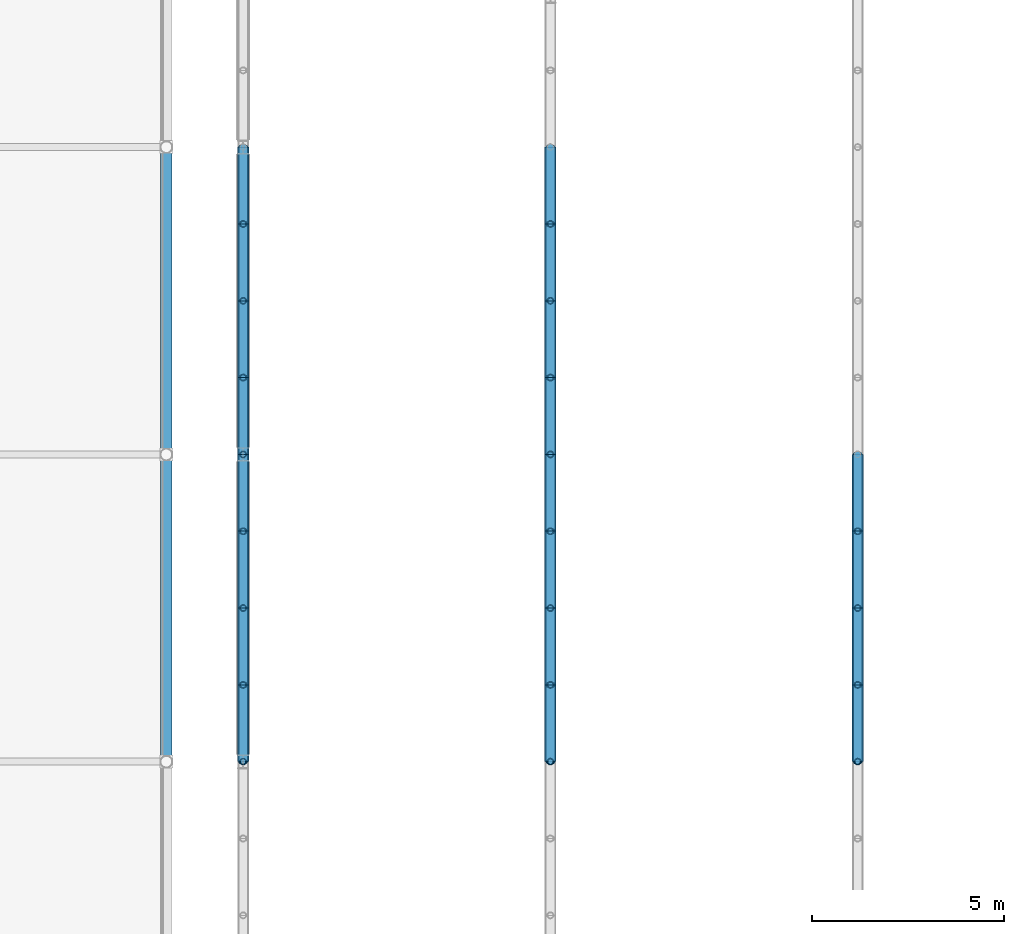
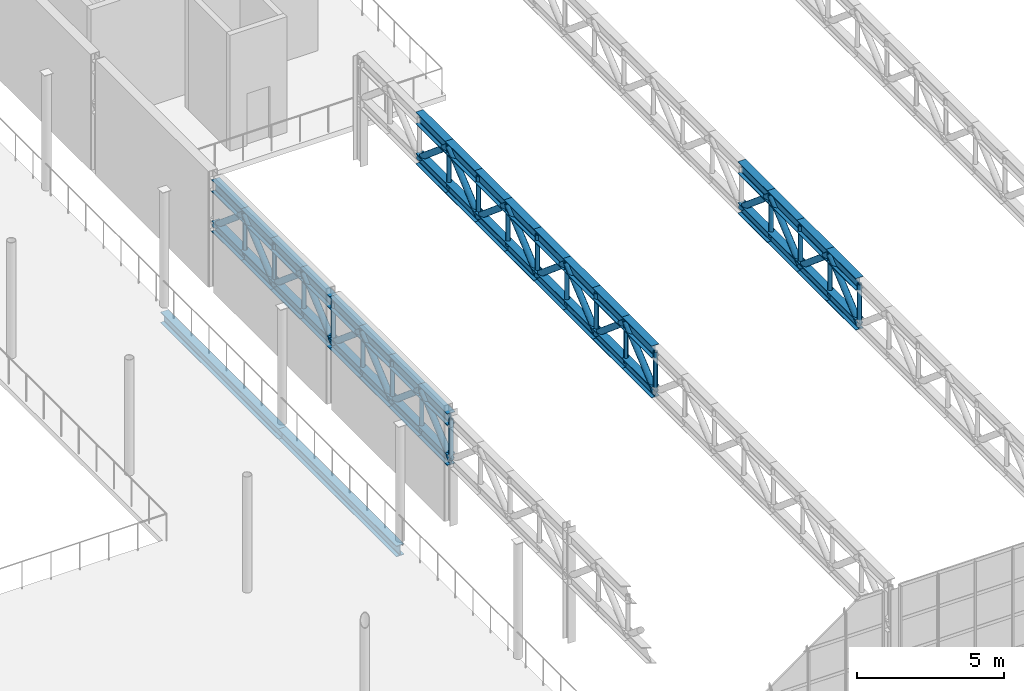
# One storey, part 43 of 143: 80 members, 2 beams.
"""IFC4 building model written with IfcOpenShell, lengths in metres."""

from ifc_helpers import new_model, si_unit, derived_unit, direction, frame, origin, origin_2d, place, context, subcontext, project, spatial, hollow_circle, i_section, extrude, material, material_profile, profile_set, type_object, element, save


model = new_model("IFC4")

# Units and contexts
model_context = context("Model", 3, precision=1e-05, world=origin(), true_north=direction((0.0, 1.0)))
body_context = subcontext(model_context, "Body", "Model", "MODEL_VIEW")
ifc_project = project(units=[si_unit("LENGTHUNIT", "METRE"), si_unit("AREAUNIT", "SQUARE_METRE"), si_unit("VOLUMEUNIT", "CUBIC_METRE"), si_unit("PLANEANGLEUNIT", "RADIAN"), si_unit("MASSUNIT", "GRAM", prefix="KILO"), derived_unit("THERMALTRANSMITTANCEUNIT", [(si_unit("POWERUNIT", "WATT"), 1), (si_unit("LENGTHUNIT", "METRE"), -2), (si_unit("THERMODYNAMICTEMPERATUREUNIT", "KELVIN"), -1)])], contexts=[model_context])

# Site, building, storey
site_placement = place(None, origin())
site = spatial("IfcSite", under=ifc_project, at=site_placement, CompositionType="ELEMENT")
building_placement = place(site_placement, origin())
building = spatial("IfcBuilding", under=site, at=building_placement, Name="Keldorne Ridge Multi-Sports Centre", CompositionType="ELEMENT")
storey_placement = place(building_placement, frame((0.0, 0.0, 4.800048828125)))
storey = spatial("IfcBuildingStorey", under=building, at=storey_placement, Name="L01", CompositionType="ELEMENT", Elevation=4.800048828125)

# Beams
ifc_material = material(Name="Steel S355", Category="steel")
ifc_material_profile_1 = material_profile(ifc_material, i_section(OverallWidth=0.300048828125, OverallDepth=0.449951171875, WebThickness=0.013916015625, FlangeThickness=0.02587890625, FilletRadius=0.027099609375, at=origin_2d()), Name="HEB 450")
ifc_profile_set_1 = profile_set([ifc_material_profile_1], Name="Steel S355")
beam_type = type_object("IfcBeamType", Name="BM-B-11", PredefinedType="BEAM", material=ifc_profile_set_1)
for number, where, z_axis, x_axis, name in (
    (1, (102.0, 22.0, -0.445068359375), (0.0, 1.0, 0.0), (-1.0, 0.0, 0.0), "L01 passage girder G15.3"),
    (2, (102.0, 30.0, -0.445068359375), (0.0, 1.0, 0.0), (-1.0, 0.0, 0.0), "L01 passage girder G15.4"),
):
    element("IfcBeam", number, at=place(storey_placement, frame(where, z_axis=z_axis, x_axis=x_axis)), inside=storey, type_object=beam_type, Name=name, PredefinedType="BEAM", context=body_context, shape_type="SweptSolid", body=[
        extrude(i_section(OverallWidth=0.300048828125, OverallDepth=0.449951171875, WebThickness=0.013916015625, FlangeThickness=0.02587890625, FilletRadius=0.027099609375, at=origin_2d()), origin(), (0.0, 0.0, 1.0), 8.0),
    ])

# Members
ifc_material_profile_2 = material_profile(ifc_material, i_section(OverallWidth=0.300048828125, OverallDepth=0.5, WebThickness=0.014404296875, FlangeThickness=0.028076171875, FilletRadius=0.027099609375, at=origin_2d()), Name="HEB 500")
ifc_profile_set_2 = profile_set([ifc_material_profile_2], Name="Steel S355")
member_type_1 = type_object("IfcMemberType", Name="MEM-TC-03", PredefinedType="CHORD", material=ifc_profile_set_2)
for number, where, z_axis, x_axis, name in (
    (3, (104.0, 22.0, 4.31005859375), (0.0, 1.0, 0.0), (-1.0, 0.0, 0.0), "Stacked Courts Warren TRUSS WT-L02-01 top chord 9"),
    (4, (104.0, 24.0, 4.31005859375), (0.0, 1.0, 0.0), (-1.0, 0.0, 0.0), "Stacked Courts Warren TRUSS WT-L02-01 top chord 10"),
    (5, (104.0, 26.0, 4.31005859375), (0.0, 1.0, 0.0), (-1.0, 0.0, 0.0), "Stacked Courts Warren TRUSS WT-L02-01 top chord 11"),
    (6, (104.0, 28.0, 4.31005859375), (0.0, 1.0, 0.0), (-1.0, 0.0, 0.0), "Stacked Courts Warren TRUSS WT-L02-01 top chord 12"),
    (7, (104.0, 30.0, 4.31005859375), (0.0, 1.0, 0.0), (-1.0, 0.0, 0.0), "Stacked Courts Warren TRUSS WT-L02-01 top chord 13"),
    (8, (104.0, 32.0, 4.31005859375), (0.0, 1.0, 0.0), (-1.0, 0.0, 0.0), "Stacked Courts Warren TRUSS WT-L02-01 top chord 14"),
    (9, (104.0, 34.0, 4.31005859375), (0.0, 1.0, 0.0), (-1.0, 0.0, 0.0), "Stacked Courts Warren TRUSS WT-L02-01 top chord 15"),
    (10, (104.0, 36.0, 4.31005859375), (0.0, 1.0, 0.0), (-1.0, 0.0, 0.0), "Stacked Courts Warren TRUSS WT-L02-01 top chord 16"),
    (11, (112.0, 22.0, 4.31005859375), (0.0, 1.0, 0.0), (-1.0, 0.0, 0.0), "Stacked Courts Warren TRUSS WT-L02-02 top chord 9"),
    (12, (112.0, 24.0, 4.31005859375), (0.0, 1.0, 0.0), (-1.0, 0.0, 0.0), "Stacked Courts Warren TRUSS WT-L02-02 top chord 10"),
    (13, (112.0, 26.0, 4.31005859375), (0.0, 1.0, 0.0), (-1.0, 0.0, 0.0), "Stacked Courts Warren TRUSS WT-L02-02 top chord 11"),
    (14, (112.0, 28.0, 4.31005859375), (0.0, 1.0, 0.0), (-1.0, 0.0, 0.0), "Stacked Courts Warren TRUSS WT-L02-02 top chord 12"),
    (15, (112.0, 30.0, 4.31005859375), (0.0, 1.0, 0.0), (-1.0, 0.0, 0.0), "Stacked Courts Warren TRUSS WT-L02-02 top chord 13"),
    (16, (112.0, 32.0, 4.31005859375), (0.0, 1.0, 0.0), (-1.0, 0.0, 0.0), "Stacked Courts Warren TRUSS WT-L02-02 top chord 14"),
    (17, (112.0, 34.0, 4.31005859375), (0.0, 1.0, 0.0), (-1.0, 0.0, 0.0), "Stacked Courts Warren TRUSS WT-L02-02 top chord 15"),
    (18, (112.0, 36.0, 4.31005859375), (0.0, 1.0, 0.0), (-1.0, 0.0, 0.0), "Stacked Courts Warren TRUSS WT-L02-02 top chord 16"),
    (19, (120.0, 22.0, 4.31005859375), (0.0, 1.0, 0.0), (-1.0, 0.0, 0.0), "Stacked Courts Warren TRUSS WT-L02-03 top chord 9"),
    (20, (120.0, 24.0, 4.31005859375), (0.0, 1.0, 0.0), (-1.0, 0.0, 0.0), "Stacked Courts Warren TRUSS WT-L02-03 top chord 10"),
    (21, (120.0, 26.0, 4.31005859375), (0.0, 1.0, 0.0), (-1.0, 0.0, 0.0), "Stacked Courts Warren TRUSS WT-L02-03 top chord 11"),
    (22, (120.0, 28.0, 4.31005859375), (0.0, 1.0, 0.0), (-1.0, 0.0, 0.0), "Stacked Courts Warren TRUSS WT-L02-03 top chord 12"),
):
    element("IfcMember", number, at=place(storey_placement, frame(where, z_axis=z_axis, x_axis=x_axis)), inside=storey, type_object=member_type_1, Name=name, PredefinedType="CHORD", context=body_context, shape_type="SweptSolid", body=[
        extrude(i_section(OverallWidth=0.300048828125, OverallDepth=0.5, WebThickness=0.014404296875, FlangeThickness=0.028076171875, FilletRadius=0.027099609375, at=origin_2d()), origin(), (0.0, 0.0, 1.0), 2.0),
    ])
ifc_material_profile_3 = material_profile(ifc_material, i_section(OverallWidth=0.300048828125, OverallDepth=0.449951171875, WebThickness=0.013916015625, FlangeThickness=0.02587890625, FilletRadius=0.027099609375, at=origin_2d()), Name="HEB 450")
ifc_profile_set_3 = profile_set([ifc_material_profile_3], Name="Steel S355")
member_type_2 = type_object("IfcMemberType", Name="MEM-TC-04", PredefinedType="CHORD", material=ifc_profile_set_3)
for number, where, z_axis, x_axis, name in (
    (23, (104.0, 22.0, 2.6298828125), (0.0, 1.0, 0.0), (-1.0, 0.0, 0.0), "Stacked Courts Warren TRUSS WT-L02-01 bottom chord 9"),
    (24, (104.0, 24.0, 2.6298828125), (0.0, 1.0, 0.0), (-1.0, 0.0, 0.0), "Stacked Courts Warren TRUSS WT-L02-01 bottom chord 10"),
    (25, (104.0, 26.0, 2.6298828125), (0.0, 1.0, 0.0), (-1.0, 0.0, 0.0), "Stacked Courts Warren TRUSS WT-L02-01 bottom chord 11"),
    (26, (104.0, 28.0, 2.6298828125), (0.0, 1.0, 0.0), (-1.0, 0.0, 0.0), "Stacked Courts Warren TRUSS WT-L02-01 bottom chord 12"),
    (27, (104.0, 30.0, 2.6298828125), (0.0, 1.0, 0.0), (-1.0, 0.0, 0.0), "Stacked Courts Warren TRUSS WT-L02-01 bottom chord 13"),
    (28, (104.0, 32.0, 2.6298828125), (0.0, 1.0, 0.0), (-1.0, 0.0, 0.0), "Stacked Courts Warren TRUSS WT-L02-01 bottom chord 14"),
    (29, (104.0, 34.0, 2.6298828125), (0.0, 1.0, 0.0), (-1.0, 0.0, 0.0), "Stacked Courts Warren TRUSS WT-L02-01 bottom chord 15"),
    (30, (104.0, 36.0, 2.6298828125), (0.0, 1.0, 0.0), (-1.0, 0.0, 0.0), "Stacked Courts Warren TRUSS WT-L02-01 bottom chord 16"),
    (31, (112.0, 22.0, 2.6298828125), (0.0, 1.0, 0.0), (-1.0, 0.0, 0.0), "Stacked Courts Warren TRUSS WT-L02-02 bottom chord 9"),
    (32, (112.0, 24.0, 2.6298828125), (0.0, 1.0, 0.0), (-1.0, 0.0, 0.0), "Stacked Courts Warren TRUSS WT-L02-02 bottom chord 10"),
    (33, (112.0, 26.0, 2.6298828125), (0.0, 1.0, 0.0), (-1.0, 0.0, 0.0), "Stacked Courts Warren TRUSS WT-L02-02 bottom chord 11"),
    (34, (112.0, 28.0, 2.6298828125), (0.0, 1.0, 0.0), (-1.0, 0.0, 0.0), "Stacked Courts Warren TRUSS WT-L02-02 bottom chord 12"),
    (35, (112.0, 30.0, 2.6298828125), (0.0, 1.0, 0.0), (-1.0, 0.0, 0.0), "Stacked Courts Warren TRUSS WT-L02-02 bottom chord 13"),
    (36, (112.0, 32.0, 2.6298828125), (0.0, 1.0, 0.0), (-1.0, 0.0, 0.0), "Stacked Courts Warren TRUSS WT-L02-02 bottom chord 14"),
    (37, (112.0, 34.0, 2.6298828125), (0.0, 1.0, 0.0), (-1.0, 0.0, 0.0), "Stacked Courts Warren TRUSS WT-L02-02 bottom chord 15"),
    (38, (112.0, 36.0, 2.6298828125), (0.0, 1.0, 0.0), (-1.0, 0.0, 0.0), "Stacked Courts Warren TRUSS WT-L02-02 bottom chord 16"),
    (39, (120.0, 22.0, 2.6298828125), (0.0, 1.0, 0.0), (-1.0, 0.0, 0.0), "Stacked Courts Warren TRUSS WT-L02-03 bottom chord 9"),
    (40, (120.0, 24.0, 2.6298828125), (0.0, 1.0, 0.0), (-1.0, 0.0, 0.0), "Stacked Courts Warren TRUSS WT-L02-03 bottom chord 10"),
    (41, (120.0, 26.0, 2.6298828125), (0.0, 1.0, 0.0), (-1.0, 0.0, 0.0), "Stacked Courts Warren TRUSS WT-L02-03 bottom chord 11"),
    (42, (120.0, 28.0, 2.6298828125), (0.0, 1.0, 0.0), (-1.0, 0.0, 0.0), "Stacked Courts Warren TRUSS WT-L02-03 bottom chord 12"),
):
    element("IfcMember", number, at=place(storey_placement, frame(where, z_axis=z_axis, x_axis=x_axis)), inside=storey, type_object=member_type_2, Name=name, PredefinedType="CHORD", context=body_context, shape_type="SweptSolid", body=[
        extrude(i_section(OverallWidth=0.300048828125, OverallDepth=0.449951171875, WebThickness=0.013916015625, FlangeThickness=0.02587890625, FilletRadius=0.027099609375, at=origin_2d()), origin(), (0.0, 0.0, 1.0), 2.0),
    ])
ifc_material_profile_4 = material_profile(ifc_material, hollow_circle(Radius=0.122314453125, WallThickness=0.012451171875, at=origin_2d()), Name="CHS 244.5x12.5")
ifc_profile_set_4 = profile_set([ifc_material_profile_4], Name="Steel S355")
member_type_3 = type_object("IfcMemberType", Name="MEM-TD-02", PredefinedType="BRACE", material=ifc_profile_set_4)
for number, where, z_axis, x_axis, name in (
    (43, (104.0, 22.0, 2.6298828125), (0.0, 0.765671721121, 0.643231541108), (-1.0, 0.0, 0.0), "Stacked Courts Warren TRUSS WT-L02-01 diagonal 9"),
    (44, (104.0, 24.0, 4.31005859375), (0.0, 0.765671721121, -0.643231541108), (-1.0, 0.0, 0.0), "Stacked Courts Warren TRUSS WT-L02-01 diagonal 10"),
    (45, (104.0, 26.0, 2.6298828125), (0.0, 0.765671721121, 0.643231541108), (-1.0, 0.0, 0.0), "Stacked Courts Warren TRUSS WT-L02-01 diagonal 11"),
    (46, (104.0, 28.0, 4.31005859375), (0.0, 0.765671721121, -0.643231541108), (-1.0, 0.0, 0.0), "Stacked Courts Warren TRUSS WT-L02-01 diagonal 12"),
    (47, (104.0, 30.0, 2.6298828125), (0.0, 0.765671721121, 0.643231541108), (-1.0, 0.0, 0.0), "Stacked Courts Warren TRUSS WT-L02-01 diagonal 13"),
    (48, (104.0, 32.0, 4.31005859375), (0.0, 0.765671721121, -0.643231541108), (-1.0, 0.0, 0.0), "Stacked Courts Warren TRUSS WT-L02-01 diagonal 14"),
    (49, (104.0, 34.0, 2.6298828125), (0.0, 0.765671721121, 0.643231541108), (-1.0, 0.0, 0.0), "Stacked Courts Warren TRUSS WT-L02-01 diagonal 15"),
    (50, (104.0, 36.0, 4.31005859375), (0.0, 0.765671721121, -0.643231541108), (-1.0, 0.0, 0.0), "Stacked Courts Warren TRUSS WT-L02-01 diagonal 16"),
    (51, (112.0, 22.0, 2.6298828125), (0.0, 0.765671721121, 0.643231541108), (-1.0, 0.0, 0.0), "Stacked Courts Warren TRUSS WT-L02-02 diagonal 9"),
    (52, (112.0, 24.0, 4.31005859375), (0.0, 0.765671721121, -0.643231541108), (-1.0, 0.0, 0.0), "Stacked Courts Warren TRUSS WT-L02-02 diagonal 10"),
    (53, (112.0, 26.0, 2.6298828125), (0.0, 0.765671721121, 0.643231541108), (-1.0, 0.0, 0.0), "Stacked Courts Warren TRUSS WT-L02-02 diagonal 11"),
    (54, (112.0, 28.0, 4.31005859375), (0.0, 0.765671721121, -0.643231541108), (-1.0, 0.0, 0.0), "Stacked Courts Warren TRUSS WT-L02-02 diagonal 12"),
    (55, (112.0, 30.0, 2.6298828125), (0.0, 0.765671721121, 0.643231541108), (-1.0, 0.0, 0.0), "Stacked Courts Warren TRUSS WT-L02-02 diagonal 13"),
    (56, (112.0, 32.0, 4.31005859375), (0.0, 0.765671721121, -0.643231541108), (-1.0, 0.0, 0.0), "Stacked Courts Warren TRUSS WT-L02-02 diagonal 14"),
    (57, (112.0, 34.0, 2.6298828125), (0.0, 0.765671721121, 0.643231541108), (-1.0, 0.0, 0.0), "Stacked Courts Warren TRUSS WT-L02-02 diagonal 15"),
    (58, (112.0, 36.0, 4.31005859375), (0.0, 0.765671721121, -0.643231541108), (-1.0, 0.0, 0.0), "Stacked Courts Warren TRUSS WT-L02-02 diagonal 16"),
    (59, (120.0, 22.0, 2.6298828125), (0.0, 0.765671721121, 0.643231541108), (-1.0, 0.0, 0.0), "Stacked Courts Warren TRUSS WT-L02-03 diagonal 9"),
    (60, (120.0, 24.0, 4.31005859375), (0.0, 0.765671721121, -0.643231541108), (-1.0, 0.0, 0.0), "Stacked Courts Warren TRUSS WT-L02-03 diagonal 10"),
    (61, (120.0, 26.0, 2.6298828125), (0.0, 0.765671721121, 0.643231541108), (-1.0, 0.0, 0.0), "Stacked Courts Warren TRUSS WT-L02-03 diagonal 11"),
    (62, (120.0, 28.0, 4.31005859375), (0.0, 0.765671721121, -0.643231541108), (-1.0, 0.0, 0.0), "Stacked Courts Warren TRUSS WT-L02-03 diagonal 12"),
):
    element("IfcMember", number, at=place(storey_placement, frame(where, z_axis=z_axis, x_axis=x_axis)), inside=storey, type_object=member_type_3, Name=name, PredefinedType="BRACE", context=body_context, shape_type="SweptSolid", body=[
        extrude(hollow_circle(Radius=0.122314453125, WallThickness=0.012451171875, at=origin_2d()), origin(), (0.0, 0.0, 1.0), 2.612060546875),
    ])
ifc_material_profile_5 = material_profile(ifc_material, hollow_circle(Radius=0.084228515625, WallThickness=0.010009765625, at=origin_2d()), Name="CHS 168.3x10")
ifc_profile_set_5 = profile_set([ifc_material_profile_5], Name="Steel S355")
member_type_4 = type_object("IfcMemberType", Name="MEM-TV-01", PredefinedType="STRUT", material=ifc_profile_set_5)
for number, where, z_axis, x_axis, name in (
    (63, (104.0, 22.0, 2.6298828125), (0.0, 0.0, 1.0), (1.0, 0.0, 0.0), "Stacked Courts Warren TRUSS WT-L02-01 post 9"),
    (64, (104.0, 24.0, 2.6298828125), (0.0, 0.0, 1.0), (1.0, 0.0, 0.0), "Stacked Courts Warren TRUSS WT-L02-01 post 10"),
    (65, (104.0, 26.0, 2.6298828125), (0.0, 0.0, 1.0), (1.0, 0.0, 0.0), "Stacked Courts Warren TRUSS WT-L02-01 post 11"),
    (66, (104.0, 28.0, 2.6298828125), (0.0, 0.0, 1.0), (1.0, 0.0, 0.0), "Stacked Courts Warren TRUSS WT-L02-01 post 12"),
    (67, (104.0, 30.0, 2.6298828125), (0.0, 0.0, 1.0), (1.0, 0.0, 0.0), "Stacked Courts Warren TRUSS WT-L02-01 post 13"),
    (68, (104.0, 32.0, 2.6298828125), (0.0, 0.0, 1.0), (1.0, 0.0, 0.0), "Stacked Courts Warren TRUSS WT-L02-01 post 14"),
    (69, (104.0, 34.0, 2.6298828125), (0.0, 0.0, 1.0), (1.0, 0.0, 0.0), "Stacked Courts Warren TRUSS WT-L02-01 post 15"),
    (70, (104.0, 36.0, 2.6298828125), (0.0, 0.0, 1.0), (1.0, 0.0, 0.0), "Stacked Courts Warren TRUSS WT-L02-01 post 16"),
    (71, (112.0, 22.0, 2.6298828125), (0.0, 0.0, 1.0), (1.0, 0.0, 0.0), "Stacked Courts Warren TRUSS WT-L02-02 post 9"),
    (72, (112.0, 24.0, 2.6298828125), (0.0, 0.0, 1.0), (1.0, 0.0, 0.0), "Stacked Courts Warren TRUSS WT-L02-02 post 10"),
    (73, (112.0, 26.0, 2.6298828125), (0.0, 0.0, 1.0), (1.0, 0.0, 0.0), "Stacked Courts Warren TRUSS WT-L02-02 post 11"),
    (74, (112.0, 28.0, 2.6298828125), (0.0, 0.0, 1.0), (1.0, 0.0, 0.0), "Stacked Courts Warren TRUSS WT-L02-02 post 12"),
    (75, (112.0, 30.0, 2.6298828125), (0.0, 0.0, 1.0), (1.0, 0.0, 0.0), "Stacked Courts Warren TRUSS WT-L02-02 post 13"),
    (76, (112.0, 32.0, 2.6298828125), (0.0, 0.0, 1.0), (1.0, 0.0, 0.0), "Stacked Courts Warren TRUSS WT-L02-02 post 14"),
    (77, (112.0, 34.0, 2.6298828125), (0.0, 0.0, 1.0), (1.0, 0.0, 0.0), "Stacked Courts Warren TRUSS WT-L02-02 post 15"),
    (78, (112.0, 36.0, 2.6298828125), (0.0, 0.0, 1.0), (1.0, 0.0, 0.0), "Stacked Courts Warren TRUSS WT-L02-02 post 16"),
    (79, (120.0, 22.0, 2.6298828125), (0.0, 0.0, 1.0), (1.0, 0.0, 0.0), "Stacked Courts Warren TRUSS WT-L02-03 post 9"),
    (80, (120.0, 24.0, 2.6298828125), (0.0, 0.0, 1.0), (1.0, 0.0, 0.0), "Stacked Courts Warren TRUSS WT-L02-03 post 10"),
    (81, (120.0, 26.0, 2.6298828125), (0.0, 0.0, 1.0), (1.0, 0.0, 0.0), "Stacked Courts Warren TRUSS WT-L02-03 post 11"),
    (82, (120.0, 28.0, 2.6298828125), (0.0, 0.0, 1.0), (1.0, 0.0, 0.0), "Stacked Courts Warren TRUSS WT-L02-03 post 12"),
):
    element("IfcMember", number, at=place(storey_placement, frame(where, z_axis=z_axis, x_axis=x_axis)), inside=storey, type_object=member_type_4, Name=name, PredefinedType="STRUT", context=body_context, shape_type="SweptSolid", body=[
        extrude(hollow_circle(Radius=0.084228515625, WallThickness=0.010009765625, at=origin_2d()), origin(), (0.0, 0.0, 1.0), 1.68017578125),
    ])

save(model, "model.ifc")
